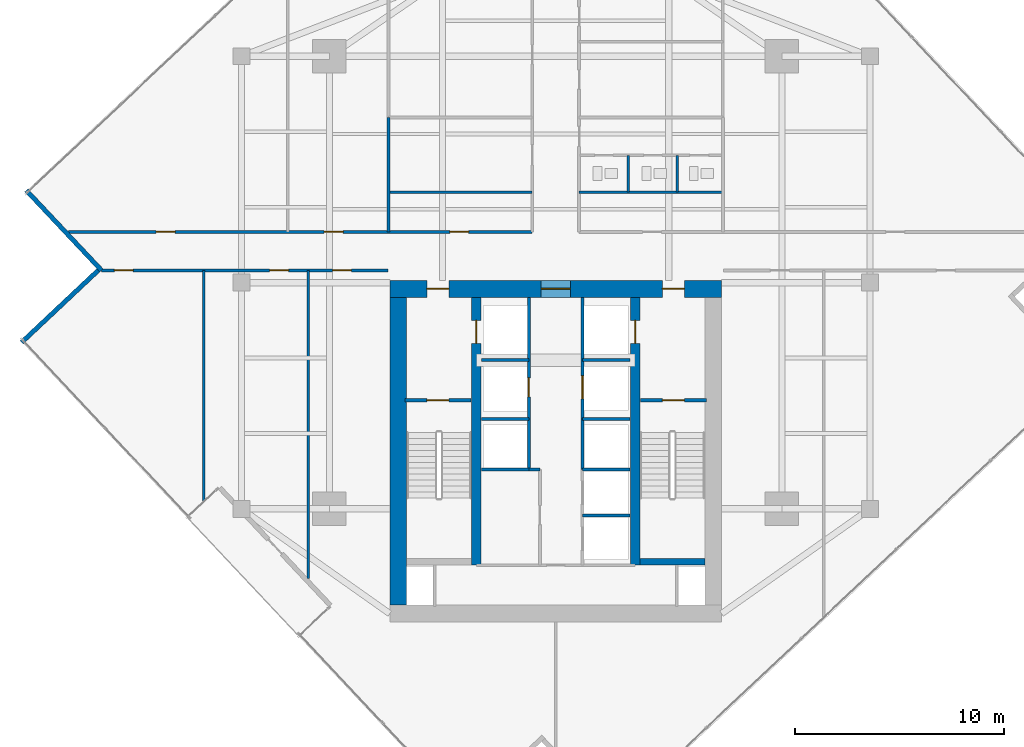
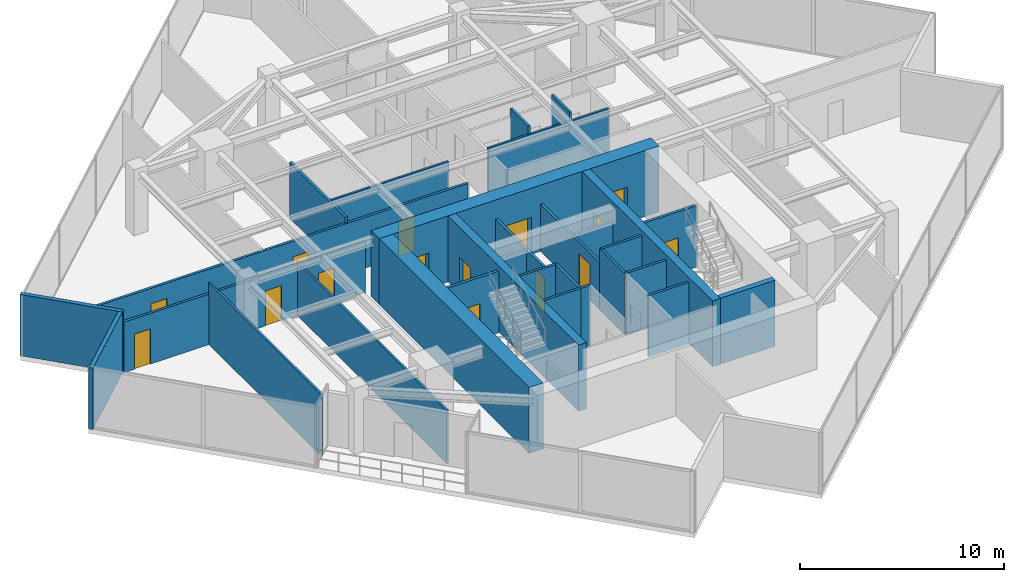
# One storey, part 21 of 24: 30 walls, 15 doors, 15 openings.
"""IFC4 building model written with IfcOpenShell, lengths in metres."""

from ifc_helpers import new_model, si_unit, direction, frame, frame_2d, origin, place, context, subcontext, project, spatial, rectangle, extrude, material, layer, layer_set, type_object, element, fill, save


model = new_model("IFC4")

# Units and contexts
model_context = context("Model", 3, precision=1e-05, world=origin(), true_north=direction((0.0, 1.0)))
body_context = subcontext(model_context, "Body", "Model", "MODEL_VIEW")
ifc_project = project(units=[si_unit("LENGTHUNIT", "METRE"), si_unit("AREAUNIT", "SQUARE_METRE"), si_unit("VOLUMEUNIT", "CUBIC_METRE"), si_unit("PLANEANGLEUNIT", "RADIAN"), si_unit("MASSUNIT", "GRAM", prefix="KILO")], contexts=[model_context])

# Site, building, storey
site_placement = place(None, origin())
site = spatial("IfcSite", under=ifc_project, at=site_placement, CompositionType="ELEMENT")
building_placement = place(site_placement, origin())
building = spatial("IfcBuilding", under=site, at=building_placement, Name="Krantzveldt Concourse Tower", CompositionType="ELEMENT")
storey_placement = place(building_placement, frame((0.0, 0.0, 242.85009765625)))
storey = spatial("IfcBuildingStorey", under=building, at=storey_placement, Name="L59", CompositionType="ELEMENT", Elevation=242.85009765625)

# Walls
ifc_material_1 = material(Name="Anodised aluminium 6063-T6", Category="aluminium")
ifc_layer_1 = layer(ifc_material_1, 0.219970703125, Name="Anodised aluminium 6063-T6", Category="aluminium")
ifc_layer_set_1 = layer_set([ifc_layer_1], Name="Anodised aluminium 6063-T6 (WL-EXT-NOTCH220)")
wall_type_1 = type_object("IfcWallType", Name="WL-EXT-NOTCH220", PredefinedType="ELEMENTEDWALL", material=ifc_layer_set_1)
wall_1_placement = place(storey_placement, frame((10.72705078125, 31.104736328125, 0.0), z_axis=(0.0, 0.0, 1.0), x_axis=(0.685178828418, -0.728374884992, 0.0)))
element("IfcWall", 1, at=wall_1_placement, inside=storey, type_object=wall_type_1, Name="EW-L59-NCH02", PredefinedType="ELEMENTEDWALL", context=body_context, shape_type="SweptSolid", body=[
    extrude(rectangle(XDim=5.244873046875, YDim=0.219970703125, at=frame_2d((2.62255859375, 0.0))), origin(), (0.0, 0.0, 1.0), 3.669921875),
])
wall_2_placement = place(storey_placement, frame((14.165283203125, 27.289306640625, 0.0), z_axis=(0.0, 0.0, 1.0), x_axis=(-0.728372554527, -0.685181305796, 0.0)))
element("IfcWall", 2, at=wall_2_placement, inside=storey, type_object=wall_type_1, Name="EW-L59-NCH03", PredefinedType="ELEMENTEDWALL", context=body_context, shape_type="SweptSolid", body=[
    extrude(rectangle(XDim=5.025146484375, YDim=0.219970703125, at=frame_2d((2.5126953125, 0.0))), origin(), (0.0, 0.0, 1.0), 3.669921875),
])
ifc_material_2 = material(Name="Fire-rated gypsum plasterboard on steel stud", Category="steel")
ifc_layer_2 = layer(ifc_material_2, 0.1201171875, Name="Fire-rated gypsum plasterboard on steel stud", Category="steel")
ifc_layer_set_2 = layer_set([ifc_layer_2], Name="Fire-rated gypsum plasterboard on steel stud (WL-PART-120)")
wall_type_2 = type_object("IfcWallType", Name="WL-PART-120", PredefinedType="PARTITIONING", material=ifc_layer_set_2)
for number, where, z_axis, x_axis, name in (
    (3, (28.02001953125, 31.02001953125, 0.0), (0.0, 0.0, 1.0), (1.0, 0.0, 0.0), "WP-L59-ISML"),
    (4, (37.1201171875, 31.02001953125, 0.0), (0.0, 0.0, 1.0), (1.0, 0.0, 0.0), "WP-L59-ISMR"),
):
    element("IfcWall", number, at=place(storey_placement, frame(where, z_axis=z_axis, x_axis=x_axis)), inside=storey, type_object=wall_type_2, Name=name, PredefinedType="PARTITIONING", context=body_context, shape_type="SweptSolid", body=[
        extrude(rectangle(XDim=6.85986328125, YDim=0.1201171875, at=frame_2d((3.429931640625, 0.0))), origin(), (0.0, 0.0, 1.0), 3.179931640625),
    ])
for number, where, z_axis, x_axis, name in (
    (5, (39.469970703125, 31.02001953125, 0.0), (0.0, 0.0, 1.0), (0.0, 1.0, 0.0), "WP-L59-WCD1"),
    (6, (41.81005859375, 31.02001953125, 0.0), (0.0, 0.0, 1.0), (0.0, 1.0, 0.0), "WP-L59-WCD2"),
):
    element("IfcWall", number, at=place(storey_placement, frame(where, z_axis=z_axis, x_axis=x_axis)), inside=storey, type_object=wall_type_2, Name=name, PredefinedType="PARTITIONING", context=body_context, shape_type="SweptSolid", body=[
        extrude(rectangle(XDim=1.760009765625, YDim=0.1201171875, at=frame_2d((0.8798828125, 0.0))), origin(), (0.0, 0.0, 1.0), 3.669921875),
    ])
wall_3_placement = place(storey_placement, frame((19.199951171875, 16.23681640625, 0.0), z_axis=(0.0, 0.0, 1.0), x_axis=(0.0, 1.0, 0.0)))
element("IfcWall", 7, at=wall_3_placement, inside=storey, type_object=wall_type_2, Name="WP-L59-SWX1", PredefinedType="PARTITIONING", context=body_context, shape_type="SweptSolid", body=[
    extrude(rectangle(XDim=11.043212890625, YDim=0.1201171875, at=frame_2d((5.521484375, 0.0))), origin(), (0.0, 0.0, 1.0), 3.669921875),
])
wall_4_placement = place(storey_placement, frame((24.199951171875, 12.572021484375, 0.0), z_axis=(0.0, 0.0, 1.0), x_axis=(0.0, 1.0, 0.0)))
element("IfcWall", 8, at=wall_4_placement, inside=storey, type_object=wall_type_2, Name="WP-L59-SWX2", PredefinedType="PARTITIONING", context=body_context, shape_type="SweptSolid", body=[
    extrude(rectangle(XDim=14.7080078125, YDim=0.1201171875, at=frame_2d((7.35400390625, 0.0))), origin(), (0.0, 0.0, 1.0), 3.179931640625),
])

# Wall, openings, doors
ifc_layer_3 = layer(ifc_material_2, 0.139892578125, Name="Fire-rated gypsum plasterboard on steel stud", Category="steel")
ifc_layer_set_3 = layer_set([ifc_layer_3], Name="Fire-rated gypsum plasterboard on steel stud (WL-PART-140)")
wall_type_3 = type_object("IfcWallType", Name="WL-PART-140", PredefinedType="PARTITIONING", material=ifc_layer_set_3)
wall_5_placement = place(storey_placement, frame((12.751953125, 29.1201171875, 0.0), z_axis=(0.0, 0.0, 1.0), x_axis=(1.0, 0.0, 0.0)))
wall_5 = element("IfcWall", 9, at=wall_5_placement, inside=storey, type_object=wall_type_3, Name="WP-L59-EWNL", PredefinedType="PARTITIONING", context=body_context, shape_type="SweptSolid", body=[
    extrude(rectangle(XDim=22.1279296875, YDim=0.139892578125, at=frame_2d((11.06396484375, 0.0))), origin(), (0.0, 0.0, 1.0), 3.02978515625),
])
opening_1_placement = place(wall_5_placement, frame((18.197998046875, 0.0, 0.0)))
opening_1 = element("IfcOpeningElement", 10, at=opening_1_placement, cuts=wall_5, Name="Opening D-IN090", PredefinedType="OPENING", context=body_context, shape_type="SweptSolid", body=[
    extrude(rectangle(XDim=0.89990234375, YDim=2.10009765625, at=frame_2d((0.449951171875, 1.050048828125))), frame((0.0, 0.080078125, 0.0), z_axis=(0.0, -1.0, 0.0), x_axis=(1.0, 0.0, 0.0)), (0.0, 0.0, 1.0), 0.159912109375),
])
opening_2_placement = place(wall_5_placement, frame((4.177978515625, 0.0, 0.0)))
opening_2 = element("IfcOpeningElement", 11, at=opening_2_placement, cuts=wall_5, Name="Opening D-IN090", PredefinedType="OPENING", context=body_context, shape_type="SweptSolid", body=[
    extrude(rectangle(XDim=0.89990234375, YDim=2.10009765625, at=frame_2d((0.449951171875, 1.050048828125))), frame((0.0, 0.080078125, 0.0), z_axis=(0.0, -1.0, 0.0), x_axis=(1.0, 0.0, 0.0)), (0.0, 0.0, 1.0), 0.159912109375),
])
opening_3_placement = place(wall_5_placement, frame((12.197998046875, 0.0, 0.0)))
opening_3 = element("IfcOpeningElement", 12, at=opening_3_placement, cuts=wall_5, Name="Opening D-IN090", PredefinedType="OPENING", context=body_context, shape_type="SweptSolid", body=[
    extrude(rectangle(XDim=0.89990234375, YDim=2.10009765625, at=frame_2d((0.449951171875, 1.050048828125))), frame((0.0, 0.080078125, 0.0), z_axis=(0.0, -1.0, 0.0), x_axis=(1.0, 0.0, 0.0)), (0.0, 0.0, 1.0), 0.159912109375),
])
ifc_material_3 = material(Name="Hardwood timber", Category="wood")
door_type_1 = type_object("IfcDoorType", Name="DR-INT-900", OperationType="SINGLE_SWING_LEFT", PredefinedType="DOOR", material=ifc_material_3)
door_1_placement = place(opening_1_placement, origin())
door_1 = element("IfcDoor", 13, at=door_1_placement, inside=storey, type_object=door_type_1, Name="DR-L59-ALCL", OperationType="SINGLE_SWING_LEFT", OverallHeight=2.10009765625, OverallWidth=0.89990234375, PredefinedType="DOOR", context=body_context, shape_type="SweptSolid", body=[
    extrude(rectangle(XDim=0.89990234375, YDim=2.10009765625, at=frame_2d((0.449951171875, 1.050048828125))), frame((0.0, 0.02490234375, 0.0), z_axis=(0.0, -1.0, 0.0), x_axis=(1.0, 0.0, 0.0)), (0.0, 0.0, 1.0), 0.050048828125),
])
fill(opening_1, door_1)
door_2_placement = place(opening_2_placement, origin())
door_2 = element("IfcDoor", 14, at=door_2_placement, inside=storey, type_object=door_type_1, Name="DR-L59-NWX1", OperationType="SINGLE_SWING_LEFT", OverallHeight=2.10009765625, OverallWidth=0.89990234375, PredefinedType="DOOR", context=body_context, shape_type="SweptSolid", body=[
    extrude(rectangle(XDim=0.89990234375, YDim=2.10009765625, at=frame_2d((0.449951171875, 1.050048828125))), frame((0.0, 0.02490234375, 0.0), z_axis=(0.0, -1.0, 0.0), x_axis=(1.0, 0.0, 0.0)), (0.0, 0.0, 1.0), 0.050048828125),
])
fill(opening_2, door_2)
door_3_placement = place(opening_3_placement, origin())
door_3 = element("IfcDoor", 15, at=door_3_placement, inside=storey, type_object=door_type_1, Name="DR-L59-NWX2", OperationType="SINGLE_SWING_LEFT", OverallHeight=2.10009765625, OverallWidth=0.89990234375, PredefinedType="DOOR", context=body_context, shape_type="SweptSolid", body=[
    extrude(rectangle(XDim=0.89990234375, YDim=2.10009765625, at=frame_2d((0.449951171875, 1.050048828125))), frame((0.0, 0.02490234375, 0.0), z_axis=(0.0, -1.0, 0.0), x_axis=(1.0, 0.0, 0.0)), (0.0, 0.0, 1.0), 0.050048828125),
])
fill(opening_3, door_3)

wall_6_placement = place(storey_placement, frame((14.31591796875, 27.280029296875, 0.0), z_axis=(0.0, 0.0, 1.0), x_axis=(1.0, 0.0, 0.0)))
wall_6 = element("IfcWall", 16, at=wall_6_placement, inside=storey, type_object=wall_type_3, Name="WP-L59-EWSL", PredefinedType="PARTITIONING", context=body_context, shape_type="SweptSolid", body=[
    extrude(rectangle(XDim=13.68408203125, YDim=0.139892578125, at=frame_2d((6.842041015625, 0.0))), origin(), (0.0, 0.0, 1.0), 3.02978515625),
])
opening_4_placement = place(wall_6_placement, frame((0.614013671875, 0.0, 0.0)))
opening_4 = element("IfcOpeningElement", 17, at=opening_4_placement, cuts=wall_6, Name="Opening D-IN090", PredefinedType="OPENING", context=body_context, shape_type="SweptSolid", body=[
    extrude(rectangle(XDim=0.89990234375, YDim=2.10009765625, at=frame_2d((0.449951171875, 1.050048828125))), frame((0.0, 0.080078125, 0.0), z_axis=(0.0, -1.0, 0.0), x_axis=(1.0, 0.0, 0.0)), (0.0, 0.0, 1.0), 0.159912109375),
])
opening_5_placement = place(wall_6_placement, frame((8.0341796875, 0.0, 0.0)))
opening_5 = element("IfcOpeningElement", 18, at=opening_5_placement, cuts=wall_6, Name="Opening D-IN090", PredefinedType="OPENING", context=body_context, shape_type="SweptSolid", body=[
    extrude(rectangle(XDim=0.89990234375, YDim=2.10009765625, at=frame_2d((0.449951171875, 1.050048828125))), frame((0.0, 0.080078125, 0.0), z_axis=(0.0, -1.0, 0.0), x_axis=(1.0, 0.0, 0.0)), (0.0, 0.0, 1.0), 0.159912109375),
])
opening_6_placement = place(wall_6_placement, frame((11.0341796875, 0.0, 0.0)))
opening_6 = element("IfcOpeningElement", 19, at=opening_6_placement, cuts=wall_6, Name="Opening D-IN090", PredefinedType="OPENING", context=body_context, shape_type="SweptSolid", body=[
    extrude(rectangle(XDim=0.89990234375, YDim=2.10009765625, at=frame_2d((0.449951171875, 1.050048828125))), frame((0.0, 0.080078125, 0.0), z_axis=(0.0, -1.0, 0.0), x_axis=(1.0, 0.0, 0.0)), (0.0, 0.0, 1.0), 0.159912109375),
])
door_4_placement = place(opening_4_placement, origin())
door_4 = element("IfcDoor", 20, at=door_4_placement, inside=storey, type_object=door_type_1, Name="DR-L59-SWX1", OperationType="SINGLE_SWING_LEFT", OverallHeight=2.10009765625, OverallWidth=0.89990234375, PredefinedType="DOOR", context=body_context, shape_type="SweptSolid", body=[
    extrude(rectangle(XDim=0.89990234375, YDim=2.10009765625, at=frame_2d((0.449951171875, 1.050048828125))), frame((0.0, 0.02490234375, 0.0), z_axis=(0.0, -1.0, 0.0), x_axis=(1.0, 0.0, 0.0)), (0.0, 0.0, 1.0), 0.050048828125),
])
fill(opening_4, door_4)
door_5_placement = place(opening_5_placement, origin())
door_5 = element("IfcDoor", 21, at=door_5_placement, inside=storey, type_object=door_type_1, Name="DR-L59-SWX2", OperationType="SINGLE_SWING_LEFT", OverallHeight=2.10009765625, OverallWidth=0.89990234375, PredefinedType="DOOR", context=body_context, shape_type="SweptSolid", body=[
    extrude(rectangle(XDim=0.89990234375, YDim=2.10009765625, at=frame_2d((0.449951171875, 1.050048828125))), frame((0.0, 0.02490234375, 0.0), z_axis=(0.0, -1.0, 0.0), x_axis=(1.0, 0.0, 0.0)), (0.0, 0.0, 1.0), 0.050048828125),
])
fill(opening_5, door_5)
door_6_placement = place(opening_6_placement, origin())
door_6 = element("IfcDoor", 22, at=door_6_placement, inside=storey, type_object=door_type_1, Name="DR-L59-SWX3", OperationType="SINGLE_SWING_LEFT", OverallHeight=2.10009765625, OverallWidth=0.89990234375, PredefinedType="DOOR", context=body_context, shape_type="SweptSolid", body=[
    extrude(rectangle(XDim=0.89990234375, YDim=2.10009765625, at=frame_2d((0.449951171875, 1.050048828125))), frame((0.0, 0.02490234375, 0.0), z_axis=(0.0, -1.0, 0.0), x_axis=(1.0, 0.0, 0.0)), (0.0, 0.0, 1.0), 0.050048828125),
])
fill(opening_6, door_6)

# Wall
wall_7_placement = place(storey_placement, frame((28.02001953125, 29.1201171875, 0.0), z_axis=(0.0, 0.0, 1.0), x_axis=(0.0, 1.0, 0.0)))
element("IfcWall", 23, at=wall_7_placement, inside=storey, type_object=wall_type_3, Name="WP-L59-ISWL", PredefinedType="PARTITIONING", context=body_context, shape_type="SweptSolid", body=[
    extrude(rectangle(XDim=5.4599609375, YDim=0.139892578125, at=frame_2d((2.72998046875, 0.0))), origin(), (0.0, 0.0, 1.0), 3.369873046875),
])

# Wall, opening, door
ifc_layer_4 = layer(ifc_material_2, 0.139892578125, Name="Fire-rated gypsum plasterboard on steel stud", Category="steel")
ifc_layer_set_4 = layer_set([ifc_layer_4], Name="Fire-rated gypsum plasterboard on steel stud (WL-PART-FR140)")
wall_type_4 = type_object("IfcWallType", Name="WL-PART-FR140", PredefinedType="PARTITIONING", material=ifc_layer_set_4)
wall_8_placement = place(storey_placement, frame((34.719970703125, 20.199951171875, 0.0), z_axis=(0.0, 0.0, 1.0), x_axis=(0.0, 1.0, 0.0)))
wall_8 = element("IfcWall", 24, at=wall_8_placement, inside=storey, type_object=wall_type_4, Name="WP-L59-SHNW", PredefinedType="PARTITIONING", context=body_context, shape_type="SweptSolid", body=[
    extrude(rectangle(XDim=5.780029296875, YDim=0.139892578125, at=frame_2d((2.89013671875, 0.0))), origin(), (0.0, 0.0, 1.0), 2.81982421875),
])
opening_7_placement = place(wall_8_placement, frame((1.050048828125, 0.0, 0.0)))
opening_7 = element("IfcOpeningElement", 25, at=opening_7_placement, cuts=wall_8, Name="Opening D-FD090", PredefinedType="OPENING", context=body_context, shape_type="SweptSolid", body=[
    extrude(rectangle(XDim=0.89990234375, YDim=2.10009765625, at=frame_2d((0.449951171875, 1.050048828125))), frame((0.0, 0.080078125, 0.0), z_axis=(0.0, -1.0, 0.0), x_axis=(1.0, 0.0, 0.0)), (0.0, 0.0, 1.0), 0.159912109375),
])
door_type_2 = type_object("IfcDoorType", Name="DR-FD60-900", OperationType="SINGLE_SWING_LEFT", PredefinedType="DOOR", material=ifc_material_3)
door_7_placement = place(opening_7_placement, origin())
door_7 = element("IfcDoor", 26, at=door_7_placement, inside=storey, type_object=door_type_2, Name="Electrical Riser Access Door L59", OperationType="SINGLE_SWING_LEFT", OverallHeight=2.10009765625, OverallWidth=0.89990234375, PredefinedType="DOOR", context=body_context, shape_type="SweptSolid", body=[
    extrude(rectangle(XDim=0.89990234375, YDim=2.10009765625, at=frame_2d((0.449951171875, 1.050048828125))), frame((0.0, 0.02490234375, 0.0), z_axis=(0.0, -1.0, 0.0), x_axis=(1.0, 0.0, 0.0)), (0.0, 0.0, 1.0), 0.050048828125),
])
fill(opening_7, door_7)

wall_9_placement = place(storey_placement, frame((37.280029296875, 20.199951171875, 0.0), z_axis=(0.0, 0.0, 1.0), x_axis=(0.0, 1.0, 0.0)))
wall_9 = element("IfcWall", 27, at=wall_9_placement, inside=storey, type_object=wall_type_4, Name="WP-L59-SHNE", PredefinedType="PARTITIONING", context=body_context, shape_type="SweptSolid", body=[
    extrude(rectangle(XDim=5.780029296875, YDim=0.139892578125, at=frame_2d((2.89013671875, 0.0))), origin(), (0.0, 0.0, 1.0), 2.81982421875),
])
opening_8_placement = place(wall_9_placement, frame((0.949951171875, 0.0, 0.0)))
opening_8 = element("IfcOpeningElement", 28, at=opening_8_placement, cuts=wall_9, Name="Opening LD", PredefinedType="OPENING", context=body_context, shape_type="SweptSolid", body=[
    extrude(rectangle(XDim=1.10009765625, YDim=2.14990234375, at=frame_2d((0.550048828125, 1.074951171875))), frame((0.0, 0.080078125, 0.0), z_axis=(0.0, -1.0, 0.0), x_axis=(1.0, 0.0, 0.0)), (0.0, 0.0, 1.0), 0.159912109375),
])
ifc_material_4 = material(Name="Stainless steel 316L", Category="steel")
door_type_3 = type_object("IfcDoorType", Name="DR-SLIDE-LD1100", OperationType="DOUBLE_DOOR_SLIDING", PredefinedType="DOOR", material=ifc_material_4)
door_8_placement = place(opening_8_placement, origin())
door_8 = element("IfcDoor", 29, at=door_8_placement, inside=storey, type_object=door_type_3, Name="LD-L59-GL1", OperationType="DOUBLE_DOOR_SLIDING", OverallHeight=2.14990234375, OverallWidth=1.10009765625, PredefinedType="DOOR", context=body_context, shape_type="SweptSolid", body=[
    extrude(rectangle(XDim=1.10009765625, YDim=2.14990234375, at=frame_2d((0.550048828125, 1.074951171875))), frame((0.0, 0.02490234375, 0.0), z_axis=(0.0, -1.0, 0.0), x_axis=(1.0, 0.0, 0.0)), (0.0, 0.0, 1.0), 0.050048828125),
])
fill(opening_8, door_8)

# Walls
for number, where, z_axis, x_axis, name in (
    (30, (32.449951171875, 23.0, 0.0), (0.0, 0.0, 1.0), (1.0, 0.0, 0.0), "WP-L59-RISH"),
    (31, (37.280029296875, 23.0, 0.0), (0.0, 0.0, 1.0), (1.0, 0.0, 0.0), "WP-L59-GLH"),
):
    element("IfcWall", number, at=place(storey_placement, frame(where, z_axis=z_axis, x_axis=x_axis)), inside=storey, type_object=wall_type_4, Name=name, PredefinedType="PARTITIONING", context=body_context, shape_type="SweptSolid", body=[
        extrude(rectangle(XDim=2.27001953125, YDim=0.139892578125, at=frame_2d((1.135009765625, 0.0))), origin(), (0.0, 0.0, 1.0), 2.81982421875),
    ])
for number, where, z_axis, x_axis, name in (
    (32, (34.719970703125, 17.780029296875, 0.0), (0.0, 0.0, 1.0), (0.0, 1.0, 0.0), "WP-L59-SHNW2"),
    (33, (37.280029296875, 17.780029296875, 0.0), (0.0, 0.0, 1.0), (0.0, 1.0, 0.0), "WP-L59-SHNE2"),
):
    element("IfcWall", number, at=place(storey_placement, frame(where, z_axis=z_axis, x_axis=x_axis)), inside=storey, type_object=wall_type_4, Name=name, PredefinedType="PARTITIONING", context=body_context, shape_type="SweptSolid", body=[
        extrude(rectangle(XDim=2.419921875, YDim=0.139892578125, at=frame_2d((1.2099609375, 0.0))), origin(), (0.0, 0.0, 1.0), 3.669921875),
    ])
for number, where, z_axis, x_axis, name in (
    (34, (32.449951171875, 17.780029296875, 0.0), (0.0, 0.0, 1.0), (1.0, 0.0, 0.0), "WP-L59-DIVW2"),
    (35, (32.449951171875, 20.179931640625, 0.0), (0.0, 0.0, 1.0), (1.0, 0.0, 0.0), "WP-L59-DIVW3"),
    (36, (37.280029296875, 17.780029296875, 0.0), (0.0, 0.0, 1.0), (1.0, 0.0, 0.0), "WP-L59-DIVE2"),
    (37, (37.280029296875, 20.179931640625, 0.0), (0.0, 0.0, 1.0), (1.0, 0.0, 0.0), "WP-L59-DIVE3"),
):
    element("IfcWall", number, at=place(storey_placement, frame(where, z_axis=z_axis, x_axis=x_axis)), inside=storey, type_object=wall_type_4, Name=name, PredefinedType="PARTITIONING", context=body_context, shape_type="SweptSolid", body=[
        extrude(rectangle(XDim=2.27001953125, YDim=0.139892578125, at=frame_2d((1.135009765625, 0.0))), origin(), (0.0, 0.0, 1.0), 3.669921875),
    ])
wall_10_placement = place(storey_placement, frame((34.719970703125, 17.780029296875, 0.0), z_axis=(0.0, 0.0, 1.0), x_axis=(1.0, 0.0, 0.0)))
element("IfcWall", 38, at=wall_10_placement, inside=storey, type_object=wall_type_4, Name="WP-L59-RECWN", PredefinedType="PARTITIONING", context=body_context, shape_type="SweptSolid", body=[
    extrude(rectangle(XDim=0.530029296875, YDim=0.139892578125, at=frame_2d((0.26513671875, 0.0))), origin(), (0.0, 0.0, 1.0), 3.669921875),
])
wall_11_placement = place(storey_placement, frame((37.280029296875, 15.580078125, 0.0), z_axis=(0.0, 0.0, 1.0), x_axis=(1.0, 0.0, 0.0)))
element("IfcWall", 39, at=wall_11_placement, inside=storey, type_object=wall_type_4, Name="WP-L59-DIVE1", PredefinedType="PARTITIONING", context=body_context, shape_type="SweptSolid", body=[
    extrude(rectangle(XDim=2.27001953125, YDim=0.139892578125, at=frame_2d((1.135009765625, 0.0))), origin(), (0.0, 0.0, 1.0), 3.669921875),
])

# Wall, opening, door
ifc_layer_5 = layer(ifc_material_2, 0.159912109375, Name="Fire-rated gypsum plasterboard on steel stud", Category="steel")
ifc_layer_set_5 = layer_set([ifc_layer_5], Name="Fire-rated gypsum plasterboard on steel stud (WL-PART-FR160)")
wall_type_5 = type_object("IfcWallType", Name="WL-PART-FR160", PredefinedType="PARTITIONING", material=ifc_layer_set_5)
wall_12_placement = place(storey_placement, frame((28.800048828125, 21.080078125, 0.0), z_axis=(0.0, 0.0, 1.0), x_axis=(1.0, 0.0, 0.0)))
wall_12 = element("IfcWall", 40, at=wall_12_placement, inside=storey, type_object=wall_type_5, Name="WP-L59-ST1", PredefinedType="PARTITIONING", context=body_context, shape_type="SweptSolid", body=[
    extrude(rectangle(XDim=3.159912109375, YDim=0.159912109375, at=frame_2d((1.580078125, 0.0))), origin(), (0.0, 0.0, 1.0), 3.669921875),
])
opening_9_placement = place(wall_12_placement, frame((1.054931640625, 0.0, 0.0)))
opening_9 = element("IfcOpeningElement", 41, at=opening_9_placement, cuts=wall_12, Name="Opening D-FD105", PredefinedType="OPENING", context=body_context, shape_type="SweptSolid", body=[
    extrude(rectangle(XDim=1.050048828125, YDim=2.10009765625, at=frame_2d((0.52490234375, 1.050048828125))), frame((0.0, 0.08984375, 0.0), z_axis=(0.0, -1.0, 0.0), x_axis=(1.0, 0.0, 0.0)), (0.0, 0.0, 1.0), 0.179931640625),
])
ifc_material_5 = material(Name="Galvanised steel", Category="steel")
door_type_4 = type_object("IfcDoorType", Name="DR-FD120-1050", OperationType="SINGLE_SWING_LEFT", PredefinedType="DOOR", material=ifc_material_5)
door_9_placement = place(opening_9_placement, origin())
door_9 = element("IfcDoor", 42, at=door_9_placement, inside=storey, type_object=door_type_4, Name="DR-L59-ST1", OperationType="SINGLE_SWING_RIGHT", OverallHeight=2.10009765625, OverallWidth=1.050048828125, PredefinedType="DOOR", context=body_context, shape_type="SweptSolid", body=[
    extrude(rectangle(XDim=1.050048828125, YDim=2.10009765625, at=frame_2d((0.52490234375, 1.050048828125))), frame((0.0, 0.02490234375, 0.0), z_axis=(0.0, -1.0, 0.0), x_axis=(1.0, 0.0, 0.0)), (0.0, 0.0, 1.0), 0.050048828125),
])
fill(opening_9, door_9)

wall_13_placement = place(storey_placement, frame((40.0400390625, 21.080078125, 0.0), z_axis=(0.0, 0.0, 1.0), x_axis=(1.0, 0.0, 0.0)))
wall_13 = element("IfcWall", 43, at=wall_13_placement, inside=storey, type_object=wall_type_5, Name="WP-L59-ST2", PredefinedType="PARTITIONING", context=body_context, shape_type="SweptSolid", body=[
    extrude(rectangle(XDim=3.159912109375, YDim=0.159912109375, at=frame_2d((1.580078125, 0.0))), origin(), (0.0, 0.0, 1.0), 3.669921875),
])
opening_10_placement = place(wall_13_placement, frame((1.054931640625, 0.0, 0.0)))
opening_10 = element("IfcOpeningElement", 44, at=opening_10_placement, cuts=wall_13, Name="Opening D-FD105", PredefinedType="OPENING", context=body_context, shape_type="SweptSolid", body=[
    extrude(rectangle(XDim=1.050048828125, YDim=2.10009765625, at=frame_2d((0.52490234375, 1.050048828125))), frame((0.0, 0.08984375, 0.0), z_axis=(0.0, -1.0, 0.0), x_axis=(1.0, 0.0, 0.0)), (0.0, 0.0, 1.0), 0.179931640625),
])
door_10_placement = place(opening_10_placement, origin())
door_10 = element("IfcDoor", 45, at=door_10_placement, inside=storey, type_object=door_type_4, Name="DR-L59-ST2", OperationType="SINGLE_SWING_LEFT", OverallHeight=2.10009765625, OverallWidth=1.050048828125, PredefinedType="DOOR", context=body_context, shape_type="SweptSolid", body=[
    extrude(rectangle(XDim=1.050048828125, YDim=2.10009765625, at=frame_2d((0.52490234375, 1.050048828125))), frame((0.0, 0.02490234375, 0.0), z_axis=(0.0, -1.0, 0.0), x_axis=(1.0, 0.0, 0.0)), (0.0, 0.0, 1.0), 0.050048828125),
])
fill(opening_10, door_10)

# Wall
ifc_material_6 = material(Name="Concrete C50/60", Category="concrete")
ifc_layer_6 = layer(ifc_material_6, 0.300048828125, Name="Concrete C50/60", Category="concrete")
ifc_layer_set_6 = layer_set([ifc_layer_6], Name="Concrete C50/60 (WL-SHEAR-300)")
wall_type_6 = type_object("IfcWallType", Name="WL-SHEAR-300", PredefinedType="SHEAR", material=ifc_layer_set_6)
wall_14_placement = place(storey_placement, frame((40.02001953125, 13.3701171875, 0.0), z_axis=(0.0, 0.0, 1.0), x_axis=(1.0, 0.0, 0.0)))
element("IfcWall", 46, at=wall_14_placement, inside=storey, type_object=wall_type_6, Name="CW-L59-ST2S", PredefinedType="SHEAR", context=body_context, shape_type="SweptSolid", body=[
    extrude(rectangle(XDim=3.10009765625, YDim=0.300048828125, at=frame_2d((1.550048828125, 0.0))), origin(), (0.0, 0.0, 1.0), 3.949951171875),
])

# Wall, opening, door
ifc_layer_7 = layer(ifc_material_6, 0.449951171875, Name="Concrete C50/60", Category="concrete")
ifc_layer_set_7 = layer_set([ifc_layer_7], Name="Concrete C50/60 (WL-SHEAR-450)")
wall_type_7 = type_object("IfcWallType", Name="WL-SHEAR-450", PredefinedType="SHEAR", material=ifc_layer_set_7)
wall_15_placement = place(storey_placement, frame((32.205078125, 13.219970703125, 0.0), z_axis=(0.0, 0.0, 1.0), x_axis=(0.0, 1.0, 0.0)))
wall_15 = element("IfcWall", 47, at=wall_15_placement, inside=storey, type_object=wall_type_7, Name="CW-L59-IW", PredefinedType="SHEAR", context=body_context, shape_type="SweptSolid", body=[
    extrude(rectangle(XDim=12.780029296875, YDim=0.449951171875, at=frame_2d((6.39013671875, 0.0))), origin(), (0.0, 0.0, 1.0), 3.949951171875),
])
opening_11_placement = place(wall_15_placement, frame((10.580078125, 0.0, 0.0)))
opening_11 = element("IfcOpeningElement", 48, at=opening_11_placement, cuts=wall_15, Name="Opening LD", PredefinedType="OPENING", context=body_context, shape_type="SweptSolid", body=[
    extrude(rectangle(XDim=1.10009765625, YDim=2.14990234375, at=frame_2d((0.550048828125, 1.074951171875))), frame((0.0, 0.23486328125, 0.0), z_axis=(0.0, -1.0, 0.0), x_axis=(1.0, 0.0, 0.0)), (0.0, 0.0, 1.0), 0.469970703125),
])
door_11_placement = place(opening_11_placement, origin())
door_11 = element("IfcDoor", 49, at=door_11_placement, inside=storey, type_object=door_type_3, Name="LD-L59-FL1", OperationType="DOUBLE_DOOR_SLIDING", OverallHeight=2.14990234375, OverallWidth=1.10009765625, PredefinedType="DOOR", context=body_context, shape_type="SweptSolid", body=[
    extrude(rectangle(XDim=1.10009765625, YDim=2.14990234375, at=frame_2d((0.550048828125, 1.074951171875))), frame((0.0, 0.02490234375, 0.0), z_axis=(0.0, -1.0, 0.0), x_axis=(1.0, 0.0, 0.0)), (0.0, 0.0, 1.0), 0.050048828125),
])
fill(opening_11, door_11)

wall_16_placement = place(storey_placement, frame((39.794921875, 13.219970703125, 0.0), z_axis=(0.0, 0.0, 1.0), x_axis=(0.0, 1.0, 0.0)))
wall_16 = element("IfcWall", 50, at=wall_16_placement, inside=storey, type_object=wall_type_7, Name="CW-L59-IE", PredefinedType="SHEAR", context=body_context, shape_type="SweptSolid", body=[
    extrude(rectangle(XDim=12.780029296875, YDim=0.449951171875, at=frame_2d((6.39013671875, 0.0))), origin(), (0.0, 0.0, 1.0), 3.949951171875),
])
opening_12_placement = place(wall_16_placement, frame((10.580078125, 0.0, 0.0)))
opening_12 = element("IfcOpeningElement", 51, at=opening_12_placement, cuts=wall_16, Name="Opening LD", PredefinedType="OPENING", context=body_context, shape_type="SweptSolid", body=[
    extrude(rectangle(XDim=1.10009765625, YDim=2.14990234375, at=frame_2d((0.550048828125, 1.074951171875))), frame((0.0, 0.23486328125, 0.0), z_axis=(0.0, -1.0, 0.0), x_axis=(1.0, 0.0, 0.0)), (0.0, 0.0, 1.0), 0.469970703125),
])
door_12_placement = place(opening_12_placement, origin())
door_12 = element("IfcDoor", 52, at=door_12_placement, inside=storey, type_object=door_type_3, Name="LD-L59-FL2", OperationType="DOUBLE_DOOR_SLIDING", OverallHeight=2.14990234375, OverallWidth=1.10009765625, PredefinedType="DOOR", context=body_context, shape_type="SweptSolid", body=[
    extrude(rectangle(XDim=1.10009765625, YDim=2.14990234375, at=frame_2d((0.550048828125, 1.074951171875))), frame((0.0, 0.02490234375, 0.0), z_axis=(0.0, -1.0, 0.0), x_axis=(1.0, 0.0, 0.0)), (0.0, 0.0, 1.0), 0.050048828125),
])
fill(opening_12, door_12)

# Wall, openings, doors
ifc_material_7 = material(Name="Concrete C60/75", Category="concrete")
ifc_layer_8 = layer(ifc_material_7, 0.800048828125, Name="Concrete C60/75", Category="concrete")
ifc_layer_set_8 = layer_set([ifc_layer_8], Name="Concrete C60/75 (WL-SHEAR-800)")
wall_type_8 = type_object("IfcWallType", Name="WL-SHEAR-800", PredefinedType="SHEAR", material=ifc_layer_set_8)
wall_17_placement = place(storey_placement, frame((28.080078125, 26.39990234375, 0.0), z_axis=(0.0, 0.0, 1.0), x_axis=(1.0, 0.0, 0.0)))
wall_17 = element("IfcWall", 53, at=wall_17_placement, inside=storey, type_object=wall_type_8, Name="CW-L59-N", PredefinedType="SHEAR", context=body_context, shape_type="SweptSolid", body=[
    extrude(rectangle(XDim=15.83984375, YDim=0.800048828125, at=frame_2d((7.919921875, 0.0))), origin(), (0.0, 0.0, 1.0), 3.949951171875),
])
opening_13_placement = place(wall_17_placement, frame((7.219970703125, 0.0, 0.0)))
opening_13 = element("IfcOpeningElement", 54, at=opening_13_placement, cuts=wall_17, Name="Opening D-DB140", PredefinedType="OPENING", context=body_context, shape_type="SweptSolid", body=[
    extrude(rectangle(XDim=1.39990234375, YDim=2.199951171875, at=frame_2d((0.699951171875, 1.10009765625))), frame((0.0, 0.41015625, 0.0), z_axis=(0.0, -1.0, 0.0), x_axis=(1.0, 0.0, 0.0)), (0.0, 0.0, 1.0), 0.820068359375),
])
opening_14_placement = place(wall_17_placement, frame((1.77490234375, 0.0, 0.0)))
opening_14 = element("IfcOpeningElement", 55, at=opening_14_placement, cuts=wall_17, Name="Opening D-FD105", PredefinedType="OPENING", context=body_context, shape_type="SweptSolid", body=[
    extrude(rectangle(XDim=1.050048828125, YDim=2.10009765625, at=frame_2d((0.52490234375, 1.050048828125))), frame((0.0, 0.41015625, 0.0), z_axis=(0.0, -1.0, 0.0), x_axis=(1.0, 0.0, 0.0)), (0.0, 0.0, 1.0), 0.820068359375),
])
opening_15_placement = place(wall_17_placement, frame((13.014892578125, 0.0, 0.0)))
opening_15 = element("IfcOpeningElement", 56, at=opening_15_placement, cuts=wall_17, Name="Opening D-FD105", PredefinedType="OPENING", context=body_context, shape_type="SweptSolid", body=[
    extrude(rectangle(XDim=1.050048828125, YDim=2.10009765625, at=frame_2d((0.52490234375, 1.050048828125))), frame((0.0, 0.41015625, 0.0), z_axis=(0.0, -1.0, 0.0), x_axis=(1.0, 0.0, 0.0)), (0.0, 0.0, 1.0), 0.820068359375),
])
door_type_5 = type_object("IfcDoorType", Name="DR-DBL-1400", OperationType="DOUBLE_DOOR_SINGLE_SWING", PredefinedType="DOOR", material=ifc_material_1)
door_13_placement = place(opening_13_placement, origin())
door_13 = element("IfcDoor", 57, at=door_13_placement, inside=storey, type_object=door_type_5, Name="DR-L59-LLB", OperationType="DOUBLE_DOOR_SINGLE_SWING", OverallHeight=2.199951171875, OverallWidth=1.39990234375, PredefinedType="DOOR", context=body_context, shape_type="SweptSolid", body=[
    extrude(rectangle(XDim=1.39990234375, YDim=2.199951171875, at=frame_2d((0.699951171875, 1.10009765625))), frame((0.0, 0.02490234375, 0.0), z_axis=(0.0, -1.0, 0.0), x_axis=(1.0, 0.0, 0.0)), (0.0, 0.0, 1.0), 0.050048828125),
])
fill(opening_13, door_13)
door_14_placement = place(opening_14_placement, origin())
door_14 = element("IfcDoor", 58, at=door_14_placement, inside=storey, type_object=door_type_4, Name="DR-L59-FFL1", OperationType="SINGLE_SWING_LEFT", OverallHeight=2.10009765625, OverallWidth=1.050048828125, PredefinedType="DOOR", context=body_context, shape_type="SweptSolid", body=[
    extrude(rectangle(XDim=1.050048828125, YDim=2.10009765625, at=frame_2d((0.52490234375, 1.050048828125))), frame((0.0, 0.02490234375, 0.0), z_axis=(0.0, -1.0, 0.0), x_axis=(1.0, 0.0, 0.0)), (0.0, 0.0, 1.0), 0.050048828125),
])
fill(opening_14, door_14)
door_15_placement = place(opening_15_placement, origin())
door_15 = element("IfcDoor", 59, at=door_15_placement, inside=storey, type_object=door_type_4, Name="DR-L59-FFL2", OperationType="SINGLE_SWING_RIGHT", OverallHeight=2.10009765625, OverallWidth=1.050048828125, PredefinedType="DOOR", context=body_context, shape_type="SweptSolid", body=[
    extrude(rectangle(XDim=1.050048828125, YDim=2.10009765625, at=frame_2d((0.52490234375, 1.050048828125))), frame((0.0, 0.02490234375, 0.0), z_axis=(0.0, -1.0, 0.0), x_axis=(1.0, 0.0, 0.0)), (0.0, 0.0, 1.0), 0.050048828125),
])
fill(opening_15, door_15)

# Wall
wall_18_placement = place(storey_placement, frame((28.47998046875, 11.300048828125, 0.0), z_axis=(0.0, 0.0, 1.0), x_axis=(0.0, 1.0, 0.0)))
element("IfcWall", 60, at=wall_18_placement, inside=storey, type_object=wall_type_8, Name="CW-L59-W", PredefinedType="SHEAR", context=body_context, shape_type="SweptSolid", body=[
    extrude(rectangle(XDim=14.699951171875, YDim=0.800048828125, at=frame_2d((7.35009765625, 0.0))), origin(), (0.0, 0.0, 1.0), 3.949951171875),
])

save(model, "model.ifc")
